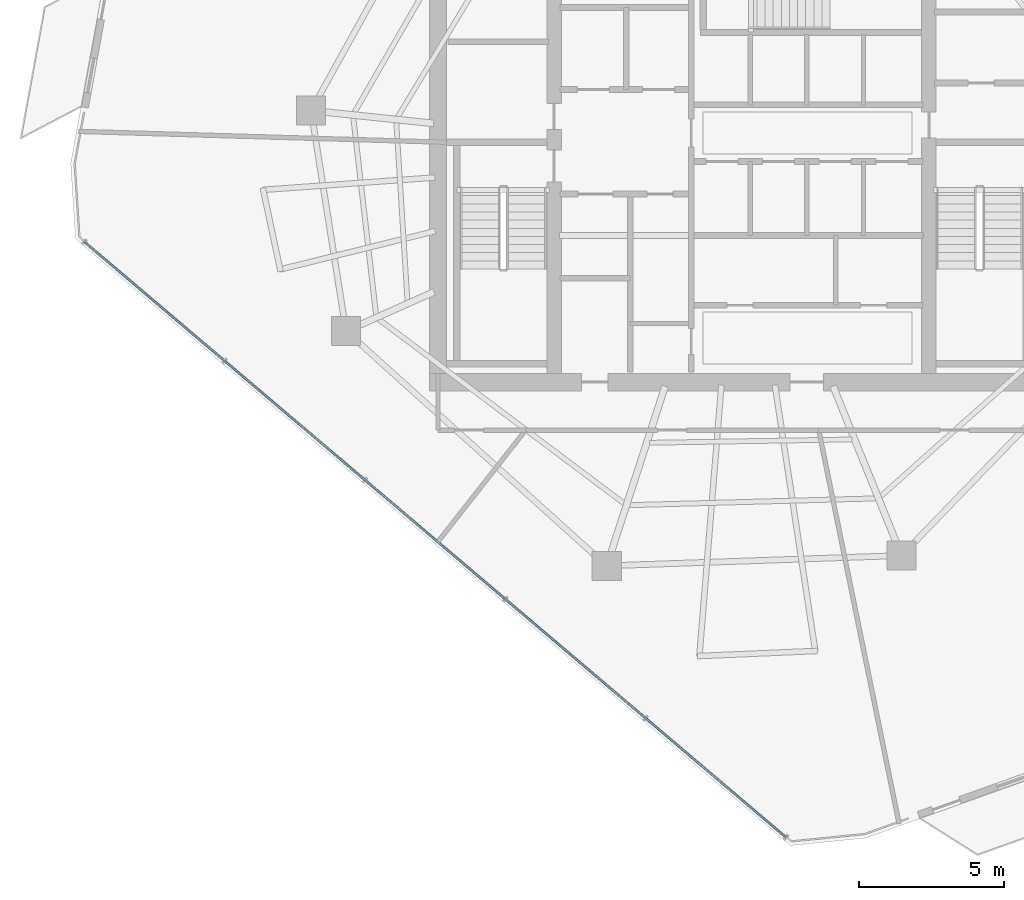
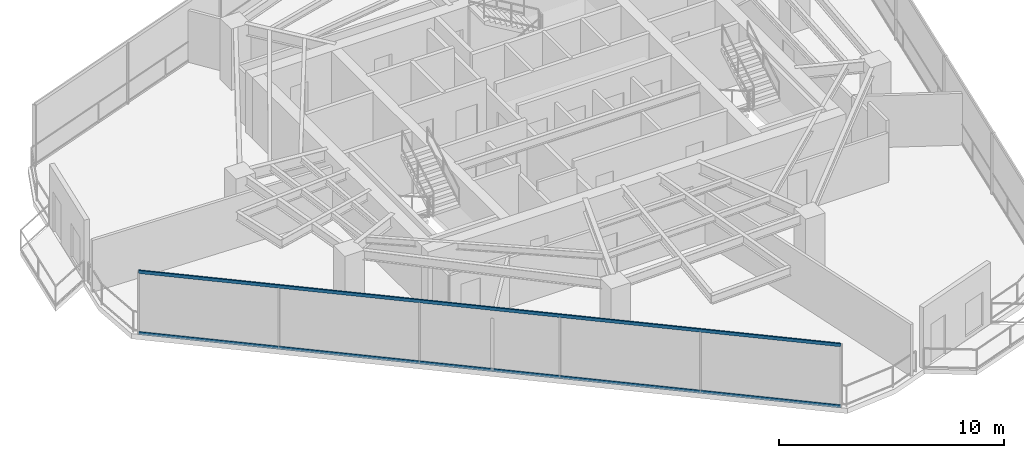
# One storey, part 3 of 21: 2 members, 1 element without a shape of its own.
"""IFC4 building model written with IfcOpenShell, lengths in metres."""

from ifc_helpers import new_model, si_unit, direction, frame, origin, origin_2d, place, context, subcontext, project, spatial, hollow_rectangle, extrude, material, layer, layer_set, material_profile, profile_set, type_object, element, aggregate, save


model = new_model("IFC4")

# Units and contexts
model_context = context("Model", 3, precision=1e-05, world=origin(), true_north=direction((0.0, 1.0)))
body_context = subcontext(model_context, "Body", "Model", "MODEL_VIEW")
ifc_project = project(units=[si_unit("LENGTHUNIT", "METRE"), si_unit("AREAUNIT", "SQUARE_METRE"), si_unit("VOLUMEUNIT", "CUBIC_METRE"), si_unit("PLANEANGLEUNIT", "RADIAN"), si_unit("MASSUNIT", "GRAM", prefix="KILO")], contexts=[model_context])

# Site, building, storey
site_placement = place(None, origin())
site = spatial("IfcSite", under=ifc_project, at=site_placement, CompositionType="ELEMENT")
building_placement = place(site_placement, origin())
building = spatial("IfcBuilding", under=site, at=building_placement, Name="Qarnah Convention Tower", CompositionType="ELEMENT")
storey_placement = place(building_placement, frame((0.0, 0.0, 140.10009765625)))
storey = spatial("IfcBuildingStorey", under=building, at=storey_placement, Name="L37", CompositionType="ELEMENT", Elevation=140.10009765625)

# Curtain wall, members
ifc_material_1 = material(Name="Tempered Low-E dark glass", Category="glass")
ifc_layer = layer(ifc_material_1, 0.172119140625)
ifc_layer_set = layer_set([ifc_layer], Name="Tempered Low-E dark glass")
curtain_wall_type = type_object("IfcCurtainWallType", Name="CWS-03", PredefinedType="NOTDEFINED", material=ifc_layer_set)
curtain_wall_placement = place(storey_placement, origin())
curtain_wall = element("IfcCurtainWall", 1, at=curtain_wall_placement, inside=storey, type_object=curtain_wall_type, Name="L37 unitised curtain wall CW-L37-F2", PredefinedType="NOTDEFINED")
ifc_material_2 = material(Name="Black anodised aluminium", Category="aluminium")
ifc_material_profile = material_profile(ifc_material_2, hollow_rectangle(XDim=0.070068359375, YDim=0.169921875, WallThickness=0.0048828125, at=origin_2d()), Name="TRN-70X170")
ifc_profile_set = profile_set([ifc_material_profile], Name="Black anodised aluminium")
member_type = type_object("IfcMemberType", Name="TRN-T3", PredefinedType="USERDEFINED", material=ifc_profile_set)
member_1_placement = place(storey_placement, frame((38.779052734375, 2.929931640625, 0.0), z_axis=(-0.762449226561, 0.647048048383, 0.0), x_axis=(-0.647048048383, -0.762449226561, 0.0)))
member_1 = element("IfcMember", 2, at=member_1_placement, type_object=member_type, Name="CW-L37-F2 transom 1", ObjectType="TRANSOM", PredefinedType="USERDEFINED", context=body_context, shape_type="SweptSolid", body=[
    extrude(hollow_rectangle(XDim=0.070068359375, YDim=0.169921875, WallThickness=0.0048828125, at=origin_2d()), origin(), (0.0, 0.0, 1.0), 31.680908203125),
])
member_2_placement = place(storey_placement, frame((38.779052734375, 2.929931640625, 3.31982421875), z_axis=(-0.762449226561, 0.647048048383, 0.0), x_axis=(-0.647048048383, -0.762449226561, 0.0)))
member_2 = element("IfcMember", 3, at=member_2_placement, type_object=member_type, Name="CW-L37-F2 transom 2", ObjectType="TRANSOM", PredefinedType="USERDEFINED", context=body_context, shape_type="SweptSolid", body=[
    extrude(hollow_rectangle(XDim=0.070068359375, YDim=0.169921875, WallThickness=0.0048828125, at=origin_2d()), origin(), (0.0, 0.0, 1.0), 31.680908203125),
])
aggregate(curtain_wall, [member_1, member_2])

save(model, "model.ifc")
